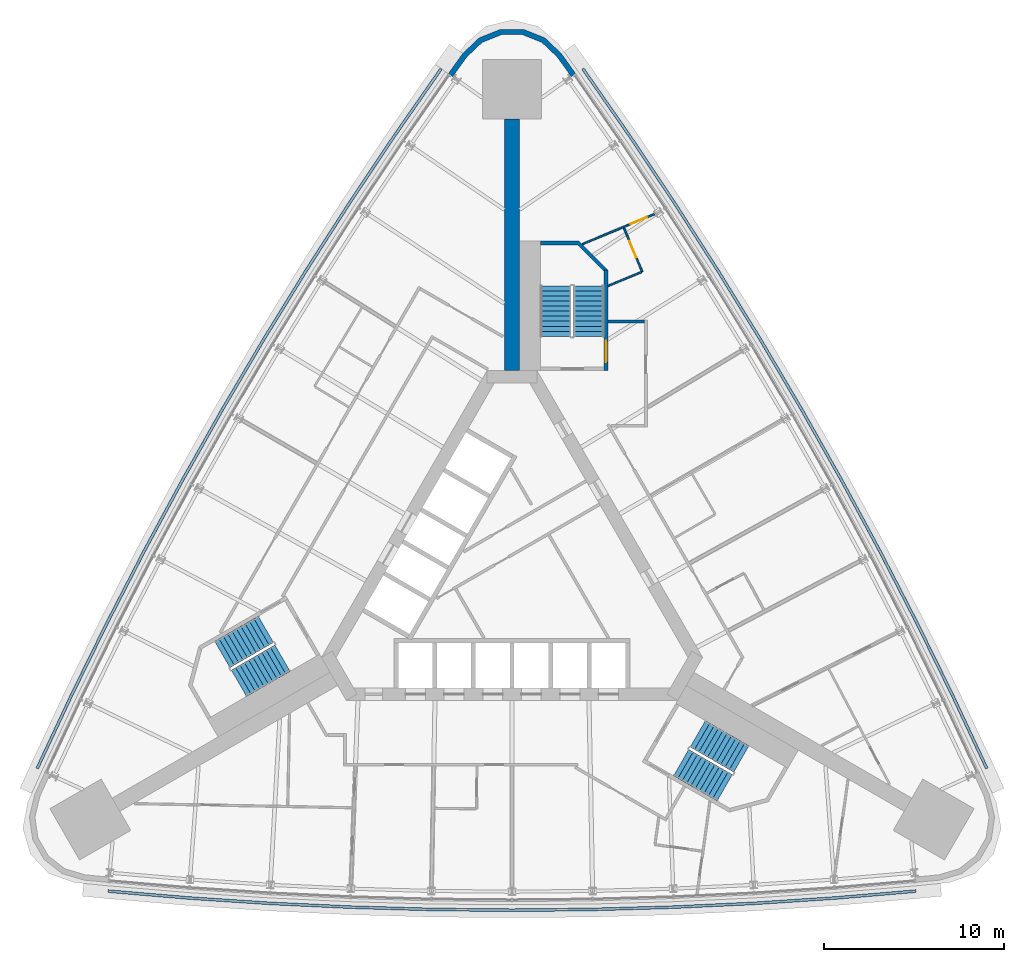
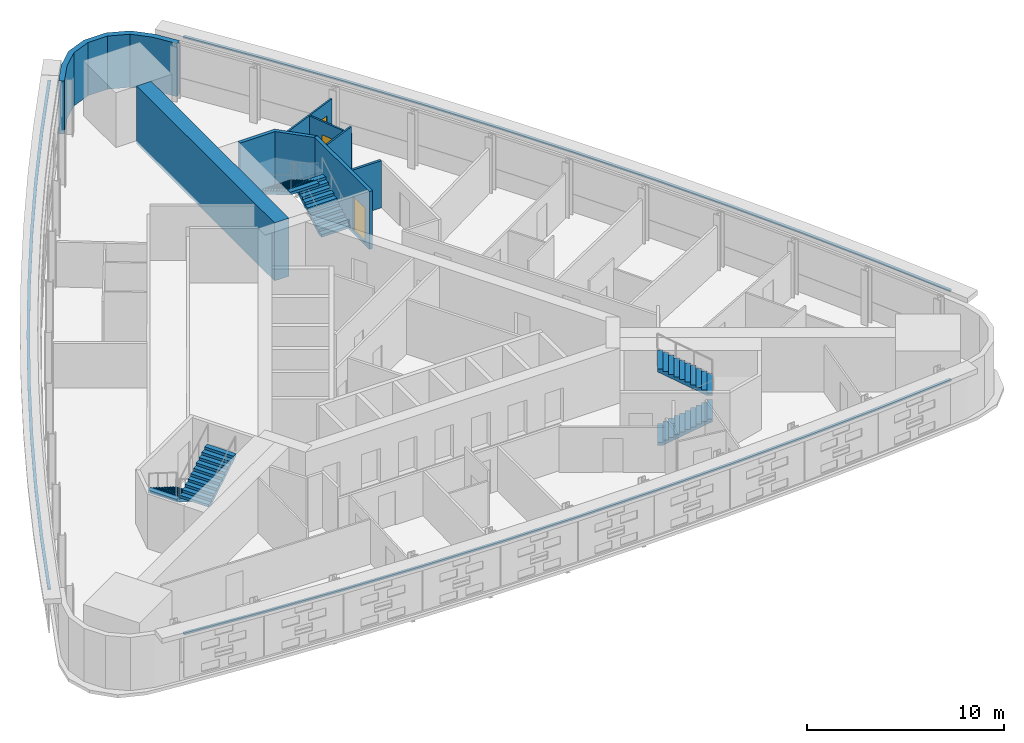
# One storey, part 13 of 15: 8 walls, 6 stair flights, 3 discrete accessories, 3 doors, 3 openings, 3 elements without a shape of their own.
"""IFC4 building model written with IfcOpenShell, lengths in metres."""

from ifc_helpers import new_model, si_unit, direction, frame, frame_2d, origin, place, context, subcontext, project, spatial, polyline, rectangle, outline, extrude, material, layer, layer_set, type_object, element, fill, aggregate, save


model = new_model("IFC4")

# Units and contexts
model_context = context("Model", 3, precision=1e-05, world=origin(), true_north=direction((0.0, 1.0)))
body_context = subcontext(model_context, "Body", "Model", "MODEL_VIEW")
ifc_project = project(units=[si_unit("LENGTHUNIT", "METRE"), si_unit("AREAUNIT", "SQUARE_METRE"), si_unit("VOLUMEUNIT", "CUBIC_METRE"), si_unit("PLANEANGLEUNIT", "RADIAN"), si_unit("MASSUNIT", "GRAM", prefix="KILO")], contexts=[model_context])

# Site, building, storey
site_placement = place(None, origin())
site = spatial("IfcSite", under=ifc_project, at=site_placement, CompositionType="ELEMENT")
building_placement = place(site_placement, origin())
building = spatial("IfcBuilding", under=site, at=building_placement, Name="Noor Cloister Tower", CompositionType="ELEMENT")
storey_placement = place(building_placement, frame((0.0, 0.0, 45.60009765625)))
storey = spatial("IfcBuildingStorey", under=building, at=storey_placement, Name="L11", CompositionType="ELEMENT", Elevation=45.60009765625)

# Walls
ifc_material_1 = material(Name="Concrete C80/95", Category="concrete")
ifc_layer_1 = layer(ifc_material_1, 0.85009765625)
ifc_layer_set_1 = layer_set([ifc_layer_1], Name="Buttress wall 850 C80/95")
wall_type_1 = type_object("IfcWallType", Name="Buttress wall 850 C80/95", PredefinedType="SHEAR", material=ifc_layer_set_1)
wall_1_placement = place(storey_placement, frame((0.0, 11.456298828125, -0.2001953125), z_axis=(0.0, 0.0, 1.0), x_axis=(0.0, 1.0, 0.0)))
element("IfcWall", 1, at=wall_1_placement, inside=storey, type_object=wall_type_1, Name="Buttress wall N L11", PredefinedType="SHEAR", context=body_context, shape_type="SweptSolid", body=[
    extrude(rectangle(XDim=14.013671875, YDim=0.85009765625, at=frame_2d((7.0068359375, 0.0))), origin(), (0.0, 0.0, 1.0), 3.60009765625),
])
ifc_material_2 = material(Name="Gypsum board partition on steel studs, 150 mm", Category="steel")
ifc_layer_2 = layer(ifc_material_2, 0.14990234375)
ifc_layer_set_2 = layer_set([ifc_layer_2], Name="Flat wall 150")
wall_type_2 = type_object("IfcWallType", Name="Flat wall 150", PredefinedType="PARTITIONING", material=ifc_layer_set_2)
wall_2_placement = place(storey_placement, frame((5.335693359375, 14.181396484375, 0.0), z_axis=(0.0, 0.0, 1.0), x_axis=(1.0, 0.0, 0.0)))
element("IfcWall", 2, at=wall_2_placement, inside=storey, type_object=wall_type_2, Name="Flat wall 150 L11 009", PredefinedType="PARTITIONING", context=body_context, shape_type="SweptSolid", body=[
    extrude(rectangle(XDim=2.0498046875, YDim=0.14990234375, at=frame_2d((1.02490234375, 0.0))), origin(), (0.0, 0.0, 1.0), 2.9228515625),
])
ifc_material_3 = material(Name="Limestone", Category="masonry")
ifc_layer_3 = layer(ifc_material_3, 0.300048828125)
ifc_layer_set_3 = layer_set([ifc_layer_3], Name="Limestone cladding 300")
wall_type_3 = type_object("IfcWallType", Name="Limestone cladding 300", PredefinedType="NOTDEFINED", material=ifc_layer_set_3)
wall_3_placement = place(storey_placement, origin())
element("IfcWall", 3, at=wall_3_placement, inside=storey, type_object=wall_type_3, Name="Limestone pier cladding L11 3.1", PredefinedType="NOTDEFINED", context=body_context, shape_type="SweptSolid", body=[
    extrude(outline(polyline([(3.548095703125, 27.990478515625), (2.743896484375, 29.1142578125), (1.819091796875, 29.98876953125), (0.636474609375, 30.45947265625), (-0.636474609375, 30.45947265625), (-1.819091796875, 29.98876953125), (-2.743896484375, 29.1142578125), (-3.548095703125, 27.990478515625), (-3.303955078125, 27.81591796875), (-2.516845703125, 28.916259765625), (-1.65478515625, 29.7314453125), (-0.578857421875, 30.159423828125), (0.578857421875, 30.159423828125), (1.65478515625, 29.7314453125), (2.516845703125, 28.916259765625), (3.303955078125, 27.81591796875), (3.548095703125, 27.990478515625)])), origin(), (0.0, 0.0, 1.0), 3.2998046875),
])

# Wall, opening, door
ifc_material_4 = material(Name="Gypsum board partition on steel studs, 100 mm", Category="steel")
ifc_layer_4 = layer(ifc_material_4, 0.10009765625)
ifc_layer_set_4 = layer_set([ifc_layer_4], Name="Partition 100")
wall_type_4 = type_object("IfcWallType", Name="Partition 100", PredefinedType="PARTITIONING", material=ifc_layer_set_4)
wall_4_placement = place(storey_placement, frame((3.92578125, 18.4931640625, 0.0), z_axis=(0.0, 0.0, 1.0), x_axis=(0.923190161015, 0.384343500798, 0.0)))
wall_4 = element("IfcWall", 4, at=wall_4_placement, inside=storey, type_object=wall_type_4, Name="Partition 100 L11 032", PredefinedType="PARTITIONING", context=body_context, shape_type="SweptSolid", body=[
    extrude(rectangle(XDim=4.3359375, YDim=0.10009765625, at=frame_2d((2.16796875, 0.0))), origin(), (0.0, 0.0, 1.0), 2.9228515625),
])
opening_1_placement = place(wall_4_placement, frame((2.901611328125, 0.0, 0.0)))
opening_1 = element("IfcOpeningElement", 5, at=opening_1_placement, cuts=wall_4, Name="Opening L11-024", PredefinedType="OPENING", context=body_context, shape_type="SweptSolid", body=[
    extrude(rectangle(XDim=1.0, YDim=2.10009765625, at=frame_2d((0.5, 1.050048828125))), frame((0.0, 0.06005859375, 0.0), z_axis=(0.0, -1.0, 0.0), x_axis=(1.0, 0.0, 0.0)), (0.0, 0.0, 1.0), 0.1201171875),
])
ifc_material_5 = material(Name="Timber door leaf with steel frame", Category="steel")
door_type_1 = type_object("IfcDoorType", Name="Interior door 1000", OperationType="NOTDEFINED", PredefinedType="DOOR", material=ifc_material_5)
door_1_placement = place(opening_1_placement, origin())
door_1 = element("IfcDoor", 6, at=door_1_placement, inside=storey, type_object=door_type_1, Name="Interior door 1000 L11-024", OperationType="SINGLE_SWING_RIGHT", OverallHeight=2.10009765625, OverallWidth=1.0, PredefinedType="DOOR", context=body_context, shape_type="SweptSolid", body=[
    extrude(rectangle(XDim=1.0, YDim=2.10009765625, at=frame_2d((0.5, 1.050048828125))), frame((0.0, 0.02490234375, 0.0), z_axis=(0.0, -1.0, 0.0), x_axis=(1.0, 0.0, 0.0)), (0.0, 0.0, 1.0), 0.050048828125),
])
fill(opening_1, door_1)

wall_5_placement = place(storey_placement, frame((7.252685546875, 16.95361328125, 0.0), z_axis=(0.0, 0.0, 1.0), x_axis=(-0.38437985992, 0.923175023107, 0.0)))
wall_5 = element("IfcWall", 7, at=wall_5_placement, inside=storey, type_object=wall_type_4, Name="Partition 100 L11 033", PredefinedType="PARTITIONING", context=body_context, shape_type="SweptSolid", body=[
    extrude(rectangle(XDim=2.64990234375, YDim=0.10009765625, at=frame_2d((1.324951171875, 0.0))), origin(), (0.0, 0.0, 1.0), 2.9228515625),
])
opening_2_placement = place(wall_5_placement, frame((0.85009765625, 0.0, 0.0)))
opening_2 = element("IfcOpeningElement", 8, at=opening_2_placement, cuts=wall_5, Name="Opening L11-025", PredefinedType="OPENING", context=body_context, shape_type="SweptSolid", body=[
    extrude(rectangle(XDim=1.0, YDim=2.10009765625, at=frame_2d((0.5, 1.050048828125))), frame((0.0, 0.06005859375, 0.0), z_axis=(0.0, -1.0, 0.0), x_axis=(1.0, 0.0, 0.0)), (0.0, 0.0, 1.0), 0.1201171875),
])
door_2_placement = place(opening_2_placement, origin())
door_2 = element("IfcDoor", 9, at=door_2_placement, inside=storey, type_object=door_type_1, Name="Interior door 1000 L11-025", OperationType="SINGLE_SWING_RIGHT", OverallHeight=2.10009765625, OverallWidth=1.0, PredefinedType="DOOR", context=body_context, shape_type="SweptSolid", body=[
    extrude(rectangle(XDim=1.0, YDim=2.10009765625, at=frame_2d((0.5, 1.050048828125))), frame((0.0, 0.02490234375, 0.0), z_axis=(0.0, -1.0, 0.0), x_axis=(1.0, 0.0, 0.0)), (0.0, 0.0, 1.0), 0.050048828125),
])
fill(opening_2, door_2)

# Wall
wall_6_placement = place(storey_placement, frame((5.35498046875, 16.163330078125, 0.0), z_axis=(0.0, 0.0, 1.0), x_axis=(0.923206524755, 0.38430419286, 0.0)))
element("IfcWall", 10, at=wall_6_placement, inside=storey, type_object=wall_type_4, Name="Partition 100 L11 044", PredefinedType="PARTITIONING", context=body_context, shape_type="SweptSolid", body=[
    extrude(rectangle(XDim=2.005615234375, YDim=0.10009765625, at=frame_2d((1.0029296875, 0.0))), origin(), (0.0, 0.0, 1.0), 3.39990234375),
])

# Wall, opening, door
ifc_material_6 = material(Name="Concrete C80/95", Category="concrete")
ifc_layer_5 = layer(ifc_material_6, 0.199951171875)
ifc_layer_set_5 = layer_set([ifc_layer_5], Name="Stair enclosure wall 200 C80/95")
wall_type_5 = type_object("IfcWallType", Name="Stair enclosure wall 200 C80/95", PredefinedType="SHEAR", material=ifc_layer_set_5)
wall_7_placement = place(storey_placement, frame((5.235595703125, 11.456298828125, -0.2001953125), z_axis=(0.0, 0.0, 1.0), x_axis=(0.0, 1.0, 0.0)))
wall_7 = element("IfcWall", 11, at=wall_7_placement, inside=storey, type_object=wall_type_5, Name="Stair enclosure wall ST1 L11 outer side", PredefinedType="SHEAR", context=body_context, shape_type="SweptSolid", body=[
    extrude(rectangle(XDim=5.60009765625, YDim=0.199951171875, at=frame_2d((2.800048828125, 0.0))), origin(), (0.0, 0.0, 1.0), 3.60009765625),
])
opening_3_placement = place(wall_7_placement, frame((0.449951171875, 0.0, 0.199951171875)))
opening_3 = element("IfcOpeningElement", 12, at=opening_3_placement, cuts=wall_7, Name="Opening L11-ST1C", PredefinedType="OPENING", context=body_context, shape_type="SweptSolid", body=[
    extrude(rectangle(XDim=1.199951171875, YDim=2.10009765625, at=frame_2d((0.60009765625, 1.050048828125))), frame((0.0, 0.10986328125, 0.0), z_axis=(0.0, -1.0, 0.0), x_axis=(1.0, 0.0, 0.0)), (0.0, 0.0, 1.0), 0.219970703125),
])
ifc_material_7 = material(Name="Steel", Category="steel")
door_type_2 = type_object("IfcDoorType", Name="Stair door 1200 x 2100 FD120", OperationType="SINGLE_SWING_LEFT", PredefinedType="DOOR", material=ifc_material_7)
door_3_placement = place(opening_3_placement, origin())
door_3 = element("IfcDoor", 13, at=door_3_placement, inside=storey, type_object=door_type_2, Name="Stair door ST1 L11", OperationType="SINGLE_SWING_LEFT", OverallHeight=2.10009765625, OverallWidth=1.199951171875, PredefinedType="DOOR", context=body_context, shape_type="SweptSolid", body=[
    extrude(rectangle(XDim=1.199951171875, YDim=2.10009765625, at=frame_2d((0.60009765625, 1.050048828125))), frame((0.0, 0.02490234375, 0.0), z_axis=(0.0, -1.0, 0.0), x_axis=(1.0, 0.0, 0.0)), (0.0, 0.0, 1.0), 0.050048828125),
])
fill(opening_3, door_3)

# Wall
ifc_material_8 = material(Name="Concrete C80/95", Category="concrete")
wall_type_6 = type_object("IfcWallType", Name="Stair far end wall C80/95", PredefinedType="SHEAR", material=ifc_material_8)
wall_8_placement = place(storey_placement, frame((0.0, 0.0, -0.2001953125)))
element("IfcWall", 14, at=wall_8_placement, inside=storey, type_object=wall_type_6, Name="Stair enclosure wall ST1 L11 far end", PredefinedType="SHEAR", context=body_context, shape_type="SweptSolid", body=[
    extrude(outline(polyline([(5.335693359375, 17.056396484375), (3.735595703125, 18.656494140625), (1.585693359375, 18.656494140625), (1.585693359375, 18.456298828125), (3.65283203125, 18.456298828125), (5.135498046875, 16.9736328125), (5.135498046875, 17.056396484375), (5.135498046875, 17.056396484375), (5.135498046875, 17.056396484375), (5.135498046875, 17.056396484375), (5.135498046875, 17.056396484375), (5.135498046875, 17.056396484375), (5.135498046875, 17.056396484375), (5.135498046875, 17.056396484375), (5.135498046875, 17.056396484375), (5.135498046875, 17.056396484375), (5.135498046875, 17.056396484375), (5.135498046875, 17.056396484375), (5.135498046875, 17.056396484375), (5.135498046875, 17.056396484375), (5.135498046875, 17.056396484375), (5.135498046875, 17.056396484375), (5.135498046875, 17.056396484375), (5.335693359375, 17.056396484375)])), origin(), (0.0, 0.0, 1.0), 3.60009765625),
])

# Stair, stair flights
ifc_material_9 = material(Name="Concrete C40/50", Category="concrete")
stair_type = type_object("IfcStairType", Name="Exit stair 22 risers", PredefinedType="HALF_TURN_STAIR", material=ifc_material_9)
stair_1_placement = place(storey_placement, origin())
stair_1 = element("IfcStair", 15, at=stair_1_placement, inside=storey, type_object=stair_type, Name="Exit stair ST1 L11", PredefinedType="HALF_TURN_STAIR")
ifc_material_10 = material(Name="Concrete C40/50", Category="concrete")
stair_flight_type = type_object("IfcStairFlightType", Name="Exit stair flight", PredefinedType="STRAIGHT", material=ifc_material_10)
stair_flight_1_placement = place(storey_placement, frame((4.28564453125, 13.3564453125, 0.0), z_axis=(0.0, 0.0, 1.0), x_axis=(0.0, 1.0, 0.0)))
stair_flight_1 = element("IfcStairFlight", 16, at=stair_flight_1_placement, type_object=stair_flight_type, Name="ST1 flight 1", NumberOfRisers=11, NumberOfTreads=10, PredefinedType="STRAIGHT", RiserHeight=0.163636364, TreadLength=0.28, context=body_context, shape_type="SweptSolid", body=[
    extrude(outline(polyline([(0.0, 0.0), (0.0, 0.16357421875), (0.280029296875, 0.16357421875), (0.280029296875, 0.327392578125), (0.56005859375, 0.327392578125), (0.56005859375, 0.490966796875), (0.840087890625, 0.490966796875), (0.840087890625, 0.654541015625), (1.1201171875, 0.654541015625), (1.1201171875, 0.818115234375), (1.39990234375, 0.818115234375), (1.39990234375, 0.98193359375), (1.679931640625, 0.98193359375), (1.679931640625, 1.1455078125), (1.9599609375, 1.1455078125), (1.9599609375, 1.30908203125), (2.239990234375, 1.30908203125), (2.239990234375, 1.47265625), (2.52001953125, 1.47265625), (2.52001953125, 1.636474609375), (2.800048828125, 1.636474609375), (2.800048828125, 1.800048828125), (2.800048828125, 1.462646484375), (0.297119140625, 0.0), (0.0, 0.0)])), frame((0.0, 0.85009765625, 0.0), z_axis=(0.0, -1.0, 0.0), x_axis=(1.0, 0.0, 0.0)), (0.0, 0.0, 1.0), 1.699951171875),
])
stair_flight_2_placement = place(storey_placement, frame((2.435546875, 16.156494140625, 1.7998046875), z_axis=(0.0, 0.0, 1.0), x_axis=(0.0, -1.0, 0.0)))
stair_flight_2 = element("IfcStairFlight", 17, at=stair_flight_2_placement, type_object=stair_flight_type, Name="ST1 flight 2", NumberOfRisers=11, NumberOfTreads=10, PredefinedType="STRAIGHT", RiserHeight=0.163636364, TreadLength=0.28, context=body_context, shape_type="SweptSolid", body=[
    extrude(outline(polyline([(0.0, 0.0), (0.0, 0.16357421875), (0.280029296875, 0.16357421875), (0.280029296875, 0.327392578125), (0.56005859375, 0.327392578125), (0.56005859375, 0.490966796875), (0.840087890625, 0.490966796875), (0.840087890625, 0.654541015625), (1.1201171875, 0.654541015625), (1.1201171875, 0.818115234375), (1.39990234375, 0.818115234375), (1.39990234375, 0.98193359375), (1.679931640625, 0.98193359375), (1.679931640625, 1.1455078125), (1.9599609375, 1.1455078125), (1.9599609375, 1.30908203125), (2.239990234375, 1.30908203125), (2.239990234375, 1.47265625), (2.52001953125, 1.47265625), (2.52001953125, 1.636474609375), (2.800048828125, 1.636474609375), (2.800048828125, 1.800048828125), (2.800048828125, 1.462646484375), (0.297119140625, 0.0), (0.0, 0.0)])), frame((0.0, 0.85009765625, 0.0), z_axis=(0.0, -1.0, 0.0), x_axis=(1.0, 0.0, 0.0)), (0.0, 0.0, 1.0), 1.699951171875),
])
aggregate(stair_1, [stair_flight_1, stair_flight_2])

stair_2_placement = place(storey_placement, origin())
stair_2 = element("IfcStair", 18, at=stair_2_placement, inside=storey, type_object=stair_type, Name="Exit stair ST2 L11", PredefinedType="HALF_TURN_STAIR")
stair_flight_3_placement = place(storey_placement, frame((-13.709716796875, -2.966796875, 0.0), z_axis=(0.0, 0.0, 1.0), x_axis=(-0.866025403784, -0.5, 0.0)))
stair_flight_3 = element("IfcStairFlight", 19, at=stair_flight_3_placement, type_object=stair_flight_type, Name="ST2 flight 1", NumberOfRisers=11, NumberOfTreads=10, PredefinedType="STRAIGHT", RiserHeight=0.163636364, TreadLength=0.28, context=body_context, shape_type="SweptSolid", body=[
    extrude(outline(polyline([(0.0, 0.0), (0.0, 0.16357421875), (0.280029296875, 0.16357421875), (0.280029296875, 0.327392578125), (0.56005859375, 0.327392578125), (0.56005859375, 0.490966796875), (0.840087890625, 0.490966796875), (0.840087890625, 0.654541015625), (1.1201171875, 0.654541015625), (1.1201171875, 0.818115234375), (1.39990234375, 0.818115234375), (1.39990234375, 0.98193359375), (1.679931640625, 0.98193359375), (1.679931640625, 1.1455078125), (1.9599609375, 1.1455078125), (1.9599609375, 1.30908203125), (2.239990234375, 1.30908203125), (2.239990234375, 1.47265625), (2.52001953125, 1.47265625), (2.52001953125, 1.636474609375), (2.800048828125, 1.636474609375), (2.800048828125, 1.800048828125), (2.800048828125, 1.462646484375), (0.297119140625, 0.0), (0.0, 0.0)])), frame((0.0, 0.85009765625, 0.0), z_axis=(0.0, -1.0, 0.0), x_axis=(1.0, 0.0, 0.0)), (0.0, 0.0, 1.0), 1.699951171875),
])
stair_flight_4_placement = place(storey_placement, frame((-15.209716796875, -5.968994140625, 1.7998046875), z_axis=(0.0, 0.0, 1.0), x_axis=(0.866025403784, 0.5, 0.0)))
stair_flight_4 = element("IfcStairFlight", 20, at=stair_flight_4_placement, type_object=stair_flight_type, Name="ST2 flight 2", NumberOfRisers=11, NumberOfTreads=10, PredefinedType="STRAIGHT", RiserHeight=0.163636364, TreadLength=0.28, context=body_context, shape_type="SweptSolid", body=[
    extrude(outline(polyline([(0.0, 0.0), (0.0, 0.16357421875), (0.280029296875, 0.16357421875), (0.280029296875, 0.327392578125), (0.56005859375, 0.327392578125), (0.56005859375, 0.490966796875), (0.840087890625, 0.490966796875), (0.840087890625, 0.654541015625), (1.1201171875, 0.654541015625), (1.1201171875, 0.818115234375), (1.39990234375, 0.818115234375), (1.39990234375, 0.98193359375), (1.679931640625, 0.98193359375), (1.679931640625, 1.1455078125), (1.9599609375, 1.1455078125), (1.9599609375, 1.30908203125), (2.239990234375, 1.30908203125), (2.239990234375, 1.47265625), (2.52001953125, 1.47265625), (2.52001953125, 1.636474609375), (2.800048828125, 1.636474609375), (2.800048828125, 1.800048828125), (2.800048828125, 1.462646484375), (0.297119140625, 0.0), (0.0, 0.0)])), frame((0.0, 0.85009765625, 0.0), z_axis=(0.0, -1.0, 0.0), x_axis=(1.0, 0.0, 0.0)), (0.0, 0.0, 1.0), 1.699951171875),
])
aggregate(stair_2, [stair_flight_3, stair_flight_4])

stair_3_placement = place(storey_placement, origin())
stair_3 = element("IfcStair", 21, at=stair_3_placement, inside=storey, type_object=stair_type, Name="Exit stair ST3 L11", PredefinedType="HALF_TURN_STAIR")
stair_flight_5_placement = place(storey_placement, frame((9.424072265625, -10.3896484375, 0.0), z_axis=(0.0, 0.0, 1.0), x_axis=(0.866025403784, -0.5, 0.0)))
stair_flight_5 = element("IfcStairFlight", 22, at=stair_flight_5_placement, type_object=stair_flight_type, Name="ST3 flight 1", NumberOfRisers=11, NumberOfTreads=10, PredefinedType="STRAIGHT", RiserHeight=0.163636364, TreadLength=0.28, context=body_context, shape_type="SweptSolid", body=[
    extrude(outline(polyline([(0.0, 0.0), (0.0, 0.16357421875), (0.280029296875, 0.16357421875), (0.280029296875, 0.327392578125), (0.56005859375, 0.327392578125), (0.56005859375, 0.490966796875), (0.840087890625, 0.490966796875), (0.840087890625, 0.654541015625), (1.1201171875, 0.654541015625), (1.1201171875, 0.818115234375), (1.39990234375, 0.818115234375), (1.39990234375, 0.98193359375), (1.679931640625, 0.98193359375), (1.679931640625, 1.1455078125), (1.9599609375, 1.1455078125), (1.9599609375, 1.30908203125), (2.239990234375, 1.30908203125), (2.239990234375, 1.47265625), (2.52001953125, 1.47265625), (2.52001953125, 1.636474609375), (2.800048828125, 1.636474609375), (2.800048828125, 1.800048828125), (2.800048828125, 1.462646484375), (0.297119140625, 0.0), (0.0, 0.0)])), frame((0.0, 0.85009765625, 0.0), z_axis=(0.0, -1.0, 0.0), x_axis=(1.0, 0.0, 0.0)), (0.0, 0.0, 1.0), 1.699951171875),
])
stair_flight_6_placement = place(storey_placement, frame((12.77392578125, -10.1875, 1.7998046875), z_axis=(0.0, 0.0, 1.0), x_axis=(-0.866025403784, 0.5, 0.0)))
stair_flight_6 = element("IfcStairFlight", 23, at=stair_flight_6_placement, type_object=stair_flight_type, Name="ST3 flight 2", NumberOfRisers=11, NumberOfTreads=10, PredefinedType="STRAIGHT", RiserHeight=0.163636364, TreadLength=0.28, context=body_context, shape_type="SweptSolid", body=[
    extrude(outline(polyline([(0.0, 0.0), (0.0, 0.16357421875), (0.280029296875, 0.16357421875), (0.280029296875, 0.327392578125), (0.56005859375, 0.327392578125), (0.56005859375, 0.490966796875), (0.840087890625, 0.490966796875), (0.840087890625, 0.654541015625), (1.1201171875, 0.654541015625), (1.1201171875, 0.818115234375), (1.39990234375, 0.818115234375), (1.39990234375, 0.98193359375), (1.679931640625, 0.98193359375), (1.679931640625, 1.1455078125), (1.9599609375, 1.1455078125), (1.9599609375, 1.30908203125), (2.239990234375, 1.30908203125), (2.239990234375, 1.47265625), (2.52001953125, 1.47265625), (2.52001953125, 1.636474609375), (2.800048828125, 1.636474609375), (2.800048828125, 1.800048828125), (2.800048828125, 1.462646484375), (0.297119140625, 0.0), (0.0, 0.0)])), frame((0.0, 0.85009765625, 0.0), z_axis=(0.0, -1.0, 0.0), x_axis=(1.0, 0.0, 0.0)), (0.0, 0.0, 1.0), 1.699951171875),
])
aggregate(stair_3, [stair_flight_5, stair_flight_6])

# Discrete accessories
ifc_material_11 = material(Name="Stainless steel grade 316", Category="steel")
discrete_accessory_type = type_object("IfcDiscreteAccessoryType", Name="Stainless hanger rail", PredefinedType="BRACKET", material=ifc_material_11)
discrete_accessory_1_placement = place(storey_placement, frame((0.0, 0.0, 3.199951171875)))
element("IfcDiscreteAccessory", 24, at=discrete_accessory_1_placement, inside=storey, type_object=discrete_accessory_type, Name="Hanger rail L11", PredefinedType="BRACKET", context=body_context, shape_type="SweptSolid", body=[
    extrude(outline(polyline([(-4.007568359375, 28.310791015625), (-6.583740234375, 24.61474609375), (-9.09228515625, 20.8662109375), (-11.52978515625, 17.071044921875), (-13.89501953125, 13.230224609375), (-16.18701171875, 9.345703125), (-18.4052734375, 5.418212890625), (-20.548828125, 1.449462890625), (-22.616943359375, -2.558837890625), (-24.60888671875, -6.605712890625), (-26.521484375, -10.684814453125), (-26.376708984375, -10.752685546875), (-24.464599609375, -6.675048828125), (-22.47412109375, -2.630859375), (-20.4072265625, 1.374755859375), (-18.26513671875, 5.3408203125), (-16.048583984375, 9.265625), (-13.7578125, 13.147705078125), (-11.394287109375, 16.98583984375), (-8.95849609375, 20.778564453125), (-6.451416015625, 24.5244140625), (-3.876220703125, 28.21923828125), (-4.007568359375, 28.310791015625)])), origin(), (0.0, 0.0, 1.0), 0.099853515625),
])
discrete_accessory_2_placement = place(storey_placement, frame((0.0, 0.0, 3.199951171875)))
element("IfcDiscreteAccessory", 25, at=discrete_accessory_2_placement, inside=storey, type_object=discrete_accessory_type, Name="Hanger rail L11", PredefinedType="BRACKET", context=body_context, shape_type="SweptSolid", body=[
    extrude(outline(polyline([(-22.51416015625, -17.6259765625), (-18.025146484375, -18.009033203125), (-13.5244140625, -18.307373046875), (-9.01904296875, -18.5205078125), (-4.51025390625, -18.6484375), (0.0, -18.691162109375), (4.51025390625, -18.6484375), (9.01904296875, -18.5205078125), (13.5244140625, -18.307373046875), (18.025146484375, -18.009033203125), (22.51416015625, -17.6259765625), (22.50048828125, -17.466552734375), (18.01318359375, -17.849365234375), (13.515380859375, -18.147705078125), (9.012939453125, -18.360595703125), (4.50732421875, -18.488525390625), (0.0, -18.53125), (-4.50732421875, -18.488525390625), (-9.012939453125, -18.360595703125), (-13.515380859375, -18.147705078125), (-18.01318359375, -17.849365234375), (-22.50048828125, -17.466552734375), (-22.51416015625, -17.6259765625)])), origin(), (0.0, 0.0, 1.0), 0.099853515625),
])
discrete_accessory_3_placement = place(storey_placement, frame((0.0, 0.0, 3.199951171875)))
element("IfcDiscreteAccessory", 26, at=discrete_accessory_3_placement, inside=storey, type_object=discrete_accessory_type, Name="Hanger rail L11", PredefinedType="BRACKET", context=body_context, shape_type="SweptSolid", body=[
    extrude(outline(polyline([(26.521484375, -10.684814453125), (24.60888671875, -6.605712890625), (22.616943359375, -2.558837890625), (20.548828125, 1.449462890625), (18.4052734375, 5.418212890625), (16.18701171875, 9.345703125), (13.89501953125, 13.230224609375), (11.52978515625, 17.071044921875), (9.09228515625, 20.8662109375), (6.583740234375, 24.61474609375), (4.007568359375, 28.310791015625), (3.876220703125, 28.21923828125), (6.451416015625, 24.5244140625), (8.95849609375, 20.778564453125), (11.394287109375, 16.98583984375), (13.7578125, 13.147705078125), (16.048583984375, 9.265625), (18.26513671875, 5.3408203125), (20.4072265625, 1.374755859375), (22.47412109375, -2.630859375), (24.464599609375, -6.675048828125), (26.376708984375, -10.752685546875), (26.521484375, -10.684814453125)])), origin(), (0.0, 0.0, 1.0), 0.099853515625),
])

save(model, "model.ifc")
